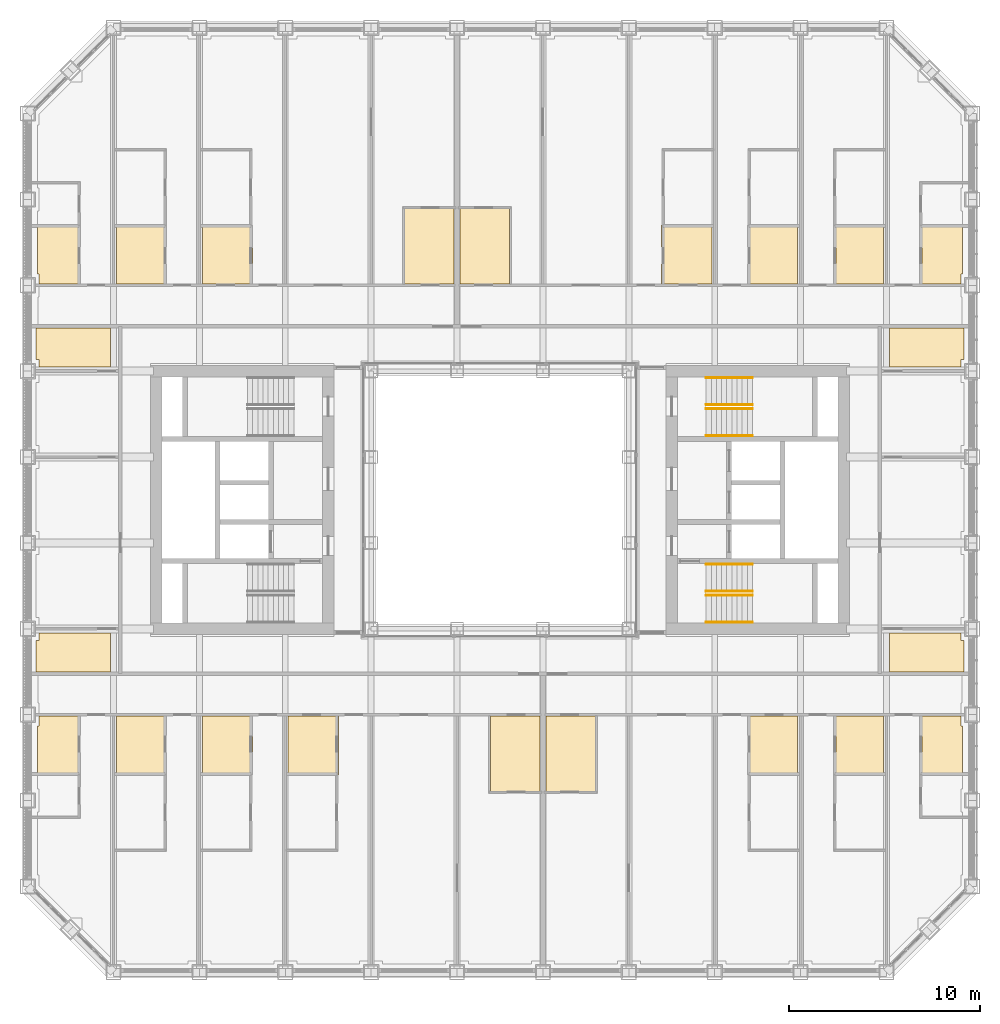
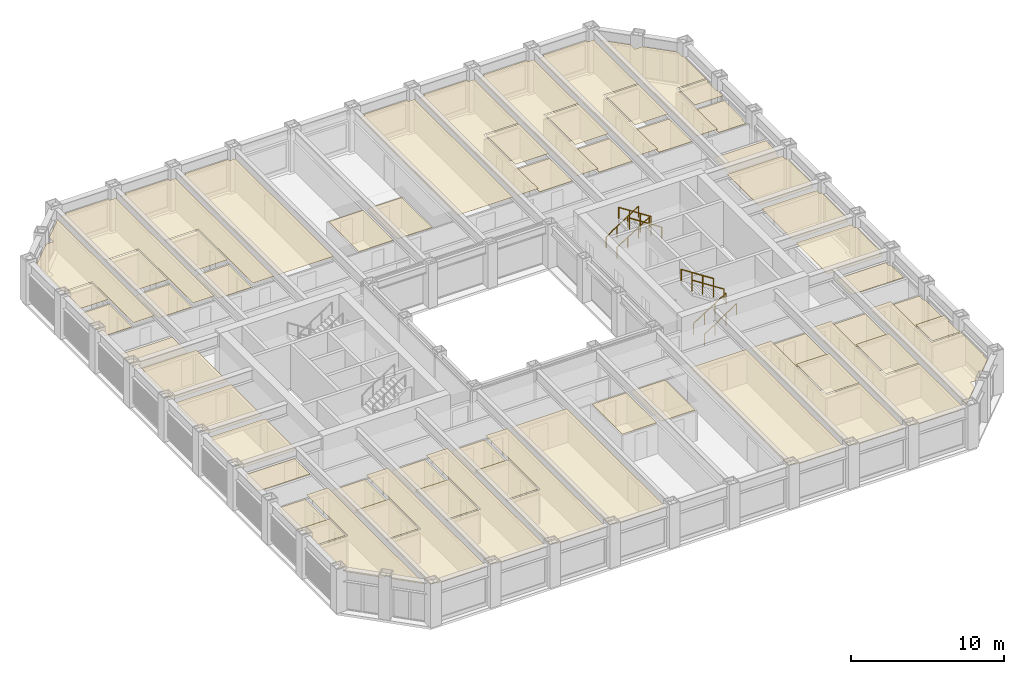
# One storey, part 20 of 21: 8 railings, 3 coverings.
"""IFC4 building model written with IfcOpenShell, lengths in metres."""

from ifc_helpers import new_model, si_unit, direction, frame, origin, origin_2d, place, context, subcontext, project, spatial, line, indexed_curve, circle, outline, extrude, material, layer, layer_set, type_object, element, save


model = new_model("IFC4")

# Units and contexts
model_context = context("Model", 3, precision=1e-05, world=origin(), true_north=direction((0.0, 1.0)))
body_context = subcontext(model_context, "Body", "Model", "MODEL_VIEW")
ifc_project = project(units=[si_unit("LENGTHUNIT", "METRE"), si_unit("AREAUNIT", "SQUARE_METRE"), si_unit("VOLUMEUNIT", "CUBIC_METRE"), si_unit("PLANEANGLEUNIT", "RADIAN"), si_unit("MASSUNIT", "GRAM", prefix="KILO")], contexts=[model_context])

# Site, building, storey
site_placement = place(None, origin())
site = spatial("IfcSite", under=ifc_project, at=site_placement, CompositionType="ELEMENT")
building_placement = place(site_placement, origin())
building = spatial("IfcBuilding", under=site, at=building_placement, Name="Msasa Ring Tower", CompositionType="ELEMENT")
storey_placement = place(building_placement, frame((0.0, 0.0, 86.0)))
storey = spatial("IfcBuildingStorey", under=building, at=storey_placement, Name="L22", CompositionType="ELEMENT", Elevation=86.0)

# Coverings
ifc_material_1 = material(Name="Gypsum plasterboard on a steel suspension grid", Category="steel")
ifc_layer_1 = layer(ifc_material_1, 0.014892578125)
ifc_layer_set_1 = layer_set([ifc_layer_1], Name="C1 SUSPENDED PLASTERBOARD CEILING 15")
covering_type_1 = type_object("IfcCoveringType", Name="C1 SUSPENDED PLASTERBOARD CEILING 15", PredefinedType="CEILING", material=ifc_layer_set_1)
covering_1_placement = place(storey_placement, frame((0.0, 0.0, 2.699951171875)))
element("IfcCovering", 1, at=covering_1_placement, inside=storey, type_object=covering_type_1, Name="Suspended Plasterboard Ceiling 15 L22", PredefinedType="CEILING", context=body_context, shape_type="SweptSolid", body=[
    extrude(outline(indexed_curve([(-24.299560546875, -2.8505859375), (-24.1494140625, -2.8505859375), (-24.1494140625, -2.460693359375), (-20.00048828125, -2.460693359375), (-20.00048828125, -6.539306640625), (-24.1494140625, -6.539306640625), (-24.1494140625, -6.1494140625), (-24.299560546875, -6.1494140625)], segments=[line(1, 2, 3, 4, 5, 6, 7, 8, 1)], self_intersect=False)), origin(), (0.0, 0.0, 1.0), 0.01513671875),
    extrude(outline(indexed_curve([(-24.299560546875, 1.6494140625), (-24.1494140625, 1.6494140625), (-24.1494140625, 2.039306640625), (-20.00048828125, 2.039306640625), (-20.00048828125, -2.039306640625), (-24.1494140625, -2.039306640625), (-24.1494140625, -1.6494140625), (-24.299560546875, -1.6494140625)], segments=[line(1, 2, 3, 4, 5, 6, 7, 8, 1)], self_intersect=False)), origin(), (0.0, 0.0, 1.0), 0.01513671875),
    extrude(outline(indexed_curve([(-24.299560546875, 6.1494140625), (-24.1494140625, 6.1494140625), (-24.1494140625, 6.539306640625), (-20.00048828125, 6.539306640625), (-20.00048828125, 2.460693359375), (-24.1494140625, 2.460693359375), (-24.1494140625, 2.8505859375), (-24.299560546875, 2.8505859375)], segments=[line(1, 2, 3, 4, 5, 6, 7, 8, 1)], self_intersect=False)), origin(), (0.0, 0.0, 1.0), 0.01513671875),
    extrude(outline(indexed_curve([(-22.1005859375, -16.568115234375), (-24.239501953125, -16.568115234375), (-24.239501953125, -16.3505859375), (-24.1494140625, -16.3505859375), (-24.1494140625, -15.1494140625), (-24.239501953125, -15.1494140625), (-24.239501953125, -14.430419921875), (-22.1005859375, -14.430419921875)], segments=[line(1, 2, 3, 4, 5, 6, 7, 8, 1)], self_intersect=False)), origin(), (0.0, 0.0, 1.0), 0.01513671875),
    extrude(outline(indexed_curve([(-22.1005859375, 16.568115234375), (-22.1005859375, 14.430419921875), (-24.239501953125, 14.430419921875), (-24.239501953125, 15.1494140625), (-24.1494140625, 15.1494140625), (-24.1494140625, 16.3505859375), (-24.239501953125, 16.3505859375), (-24.239501953125, 16.568115234375)], segments=[line(1, 2, 3, 4, 5, 6, 7, 8, 1)], self_intersect=False)), origin(), (0.0, 0.0, 1.0), 0.01513671875),
    extrude(outline(indexed_curve([(-21.8994140625, -22.46337890625), (-21.8994140625, -21.8994140625), (-22.46337890625, -21.8994140625), (-24.1494140625, -20.21337890625), (-24.1494140625, -19.6494140625), (-24.23193359375, -19.6494140625), (-24.23193359375, -16.674072265625), (-21.99951171875, -16.674072265625), (-21.99951171875, -11.31298828125), (-20.404296875, -11.31298828125), (-20.404296875, -23.95849609375)], segments=[line(1, 2, 3, 4, 5, 6, 7, 8, 9, 10, 11, 1)], self_intersect=False)), origin(), (0.0, 0.0, 1.0), 0.01513671875),
    extrude(outline(indexed_curve([(-22.46337890625, 21.8994140625), (-21.8994140625, 21.8994140625), (-21.8994140625, 22.46337890625), (-20.404296875, 23.95849609375), (-20.404296875, 11.31298828125), (-21.99951171875, 11.31298828125), (-21.99951171875, 16.674072265625), (-24.23193359375, 16.674072265625), (-24.23193359375, 19.6494140625), (-24.1494140625, 19.6494140625), (-24.1494140625, 20.21337890625)], segments=[line(1, 2, 3, 4, 5, 6, 7, 8, 9, 10, 11, 1)], self_intersect=False)), origin(), (0.0, 0.0, 1.0), 0.01513671875),
    extrude(outline(indexed_curve([(-15.904296875, -11.31298828125), (-15.904296875, -24.1494140625), (-16.3505859375, -24.1494140625), (-16.3505859375, -24.299560546875), (-19.6494140625, -24.299560546875), (-19.6494140625, -24.1494140625), (-20.095703125, -24.1494140625), (-20.095703125, -18.40087890625), (-17.49951171875, -18.40087890625), (-17.49951171875, -11.31298828125)], segments=[line(1, 2, 3, 4, 5, 6, 7, 8, 9, 10, 1)], self_intersect=False)), origin(), (0.0, 0.0, 1.0), 0.01513671875),
    extrude(outline(indexed_curve([(-17.6005859375, -18.294921875), (-20.095703125, -18.294921875), (-20.095703125, -14.430419921875), (-17.6005859375, -14.430419921875)], segments=[line(1, 2, 3, 4, 1)], self_intersect=False)), origin(), (0.0, 0.0, 1.0), 0.01513671875),
    extrude(outline(indexed_curve([(-17.49951171875, 11.31298828125), (-17.49951171875, 18.40087890625), (-20.095703125, 18.40087890625), (-20.095703125, 24.1494140625), (-19.6494140625, 24.1494140625), (-19.6494140625, 24.299560546875), (-16.3505859375, 24.299560546875), (-16.3505859375, 24.1494140625), (-15.904296875, 24.1494140625), (-15.904296875, 11.31298828125)], segments=[line(1, 2, 3, 4, 5, 6, 7, 8, 9, 10, 1)], self_intersect=False)), origin(), (0.0, 0.0, 1.0), 0.01513671875),
    extrude(outline(indexed_curve([(-17.6005859375, 18.294921875), (-17.6005859375, 14.430419921875), (-20.095703125, 14.430419921875), (-20.095703125, 18.294921875)], segments=[line(1, 2, 3, 4, 1)], self_intersect=False)), origin(), (0.0, 0.0, 1.0), 0.01513671875),
    extrude(outline(indexed_curve([(-15.1494140625, -24.299560546875), (-15.1494140625, -24.1494140625), (-15.595703125, -24.1494140625), (-15.595703125, -18.403564453125), (-12.99951171875, -18.403564453125), (-12.99951171875, -11.31298828125), (-11.404296875, -11.31298828125), (-11.404296875, -24.1494140625), (-11.8505859375, -24.1494140625), (-11.8505859375, -24.299560546875)], segments=[line(1, 2, 3, 4, 5, 6, 7, 8, 9, 10, 1)], self_intersect=False)), origin(), (0.0, 0.0, 1.0), 0.01513671875),
    extrude(outline(indexed_curve([(-13.1005859375, -14.430419921875), (-13.1005859375, -18.297607421875), (-15.595703125, -18.297607421875), (-15.595703125, -14.430419921875)], segments=[line(1, 2, 3, 4, 1)], self_intersect=False)), origin(), (0.0, 0.0, 1.0), 0.01513671875),
    extrude(outline(indexed_curve([(-12.99951171875, 11.31298828125), (-12.99951171875, 18.403564453125), (-15.595703125, 18.403564453125), (-15.595703125, 24.1494140625), (-15.1494140625, 24.1494140625), (-15.1494140625, 24.299560546875), (-11.8505859375, 24.299560546875), (-11.8505859375, 24.1494140625), (-11.404296875, 24.1494140625), (-11.404296875, 11.31298828125)], segments=[line(1, 2, 3, 4, 5, 6, 7, 8, 9, 10, 1)], self_intersect=False)), origin(), (0.0, 0.0, 1.0), 0.01513671875),
    extrude(outline(indexed_curve([(-13.1005859375, 18.297607421875), (-13.1005859375, 14.430419921875), (-15.595703125, 14.430419921875), (-15.595703125, 18.297607421875)], segments=[line(1, 2, 3, 4, 1)], self_intersect=False)), origin(), (0.0, 0.0, 1.0), 0.01513671875),
    extrude(outline(indexed_curve([(-10.6494140625, -24.299560546875), (-10.6494140625, -24.1494140625), (-11.095703125, -24.1494140625), (-11.095703125, -18.403564453125), (-8.49951171875, -18.403564453125), (-8.49951171875, -11.31298828125), (-6.904296875, -11.31298828125), (-6.904296875, -24.1494140625), (-7.3505859375, -24.1494140625), (-7.3505859375, -24.299560546875)], segments=[line(1, 2, 3, 4, 5, 6, 7, 8, 9, 10, 1)], self_intersect=False)), origin(), (0.0, 0.0, 1.0), 0.01513671875),
    extrude(outline(indexed_curve([(-8.6005859375, -14.430419921875), (-8.6005859375, -18.297607421875), (-11.095703125, -18.297607421875), (-11.095703125, -14.430419921875)], segments=[line(1, 2, 3, 4, 1)], self_intersect=False)), origin(), (0.0, 0.0, 1.0), 0.01513671875),
    extrude(outline(indexed_curve([(-7.3505859375, 24.299560546875), (-7.3505859375, 24.1494140625), (-6.904296875, 24.1494140625), (-6.904296875, 11.31298828125), (-11.095703125, 11.31298828125), (-11.095703125, 24.1494140625), (-10.6494140625, 24.1494140625), (-10.6494140625, 24.299560546875)], segments=[line(1, 2, 3, 4, 5, 6, 7, 8, 1)], self_intersect=False)), origin(), (0.0, 0.0, 1.0), 0.01513671875),
    extrude(outline(indexed_curve([(-6.1494140625, -24.299560546875), (-6.1494140625, -24.1494140625), (-6.595703125, -24.1494140625), (-6.595703125, -11.31298828125), (-2.404296875, -11.31298828125), (-2.404296875, -24.1494140625), (-2.8505859375, -24.1494140625), (-2.8505859375, -24.299560546875)], segments=[line(1, 2, 3, 4, 5, 6, 7, 8, 1)], self_intersect=False)), origin(), (0.0, 0.0, 1.0), 0.01513671875),
    extrude(outline(indexed_curve([(6.1494140625, 24.299560546875), (6.1494140625, 24.1494140625), (6.595703125, 24.1494140625), (6.595703125, 11.31298828125), (2.404296875, 11.31298828125), (2.404296875, 24.1494140625), (2.8505859375, 24.1494140625), (2.8505859375, 24.299560546875)], segments=[line(1, 2, 3, 4, 5, 6, 7, 8, 1)], self_intersect=False)), origin(), (0.0, 0.0, 1.0), 0.01513671875),
    extrude(outline(indexed_curve([(7.3505859375, -24.299560546875), (7.3505859375, -24.1494140625), (6.904296875, -24.1494140625), (6.904296875, -11.31298828125), (11.095703125, -11.31298828125), (11.095703125, -24.1494140625), (10.6494140625, -24.1494140625), (10.6494140625, -24.299560546875)], segments=[line(1, 2, 3, 4, 5, 6, 7, 8, 1)], self_intersect=False)), origin(), (0.0, 0.0, 1.0), 0.01513671875),
    extrude(outline(indexed_curve([(10.6494140625, 24.299560546875), (10.6494140625, 24.1494140625), (11.095703125, 24.1494140625), (11.095703125, 18.403564453125), (8.49951171875, 18.403564453125), (8.49951171875, 11.31298828125), (6.904296875, 11.31298828125), (6.904296875, 24.1494140625), (7.3505859375, 24.1494140625), (7.3505859375, 24.299560546875)], segments=[line(1, 2, 3, 4, 5, 6, 7, 8, 9, 10, 1)], self_intersect=False)), origin(), (0.0, 0.0, 1.0), 0.01513671875),
    extrude(outline(indexed_curve([(11.095703125, 18.297607421875), (11.095703125, 14.430419921875), (8.6005859375, 14.430419921875), (8.6005859375, 18.297607421875)], segments=[line(1, 2, 3, 4, 1)], self_intersect=False)), origin(), (0.0, 0.0, 1.0), 0.01513671875),
    extrude(outline(indexed_curve([(12.99951171875, -11.31298828125), (12.99951171875, -18.403564453125), (15.595703125, -18.403564453125), (15.595703125, -24.1494140625), (15.1494140625, -24.1494140625), (15.1494140625, -24.299560546875), (11.8505859375, -24.299560546875), (11.8505859375, -24.1494140625), (11.404296875, -24.1494140625), (11.404296875, -11.31298828125)], segments=[line(1, 2, 3, 4, 5, 6, 7, 8, 9, 10, 1)], self_intersect=False)), origin(), (0.0, 0.0, 1.0), 0.01513671875),
    extrude(outline(indexed_curve([(15.1494140625, 24.299560546875), (15.1494140625, 24.1494140625), (15.595703125, 24.1494140625), (15.595703125, 18.403564453125), (12.99951171875, 18.403564453125), (12.99951171875, 11.31298828125), (11.404296875, 11.31298828125), (11.404296875, 24.1494140625), (11.8505859375, 24.1494140625), (11.8505859375, 24.299560546875)], segments=[line(1, 2, 3, 4, 5, 6, 7, 8, 9, 10, 1)], self_intersect=False)), origin(), (0.0, 0.0, 1.0), 0.01513671875),
    extrude(outline(indexed_curve([(15.595703125, -14.430419921875), (15.595703125, -18.297607421875), (13.1005859375, -18.297607421875), (13.1005859375, -14.430419921875)], segments=[line(1, 2, 3, 4, 1)], self_intersect=False)), origin(), (0.0, 0.0, 1.0), 0.01513671875),
    extrude(outline(indexed_curve([(15.595703125, 18.297607421875), (15.595703125, 14.430419921875), (13.1005859375, 14.430419921875), (13.1005859375, 18.297607421875)], segments=[line(1, 2, 3, 4, 1)], self_intersect=False)), origin(), (0.0, 0.0, 1.0), 0.01513671875),
    extrude(outline(indexed_curve([(16.3505859375, -24.299560546875), (16.3505859375, -24.1494140625), (15.904296875, -24.1494140625), (15.904296875, -11.31298828125), (17.49951171875, -11.31298828125), (17.49951171875, -18.40087890625), (20.095703125, -18.40087890625), (20.095703125, -24.1494140625), (19.6494140625, -24.1494140625), (19.6494140625, -24.299560546875)], segments=[line(1, 2, 3, 4, 5, 6, 7, 8, 9, 10, 1)], self_intersect=False)), origin(), (0.0, 0.0, 1.0), 0.01513671875),
    extrude(outline(indexed_curve([(19.6494140625, 24.299560546875), (19.6494140625, 24.1494140625), (20.095703125, 24.1494140625), (20.095703125, 18.40087890625), (17.49951171875, 18.40087890625), (17.49951171875, 11.31298828125), (15.904296875, 11.31298828125), (15.904296875, 24.1494140625), (16.3505859375, 24.1494140625), (16.3505859375, 24.299560546875)], segments=[line(1, 2, 3, 4, 5, 6, 7, 8, 9, 10, 1)], self_intersect=False)), origin(), (0.0, 0.0, 1.0), 0.01513671875),
    extrude(outline(indexed_curve([(20.095703125, -14.430419921875), (20.095703125, -18.294921875), (17.6005859375, -18.294921875), (17.6005859375, -14.430419921875)], segments=[line(1, 2, 3, 4, 1)], self_intersect=False)), origin(), (0.0, 0.0, 1.0), 0.01513671875),
    extrude(outline(indexed_curve([(20.095703125, 18.294921875), (20.095703125, 14.430419921875), (17.6005859375, 14.430419921875), (17.6005859375, 18.294921875)], segments=[line(1, 2, 3, 4, 1)], self_intersect=False)), origin(), (0.0, 0.0, 1.0), 0.01513671875),
    extrude(outline(indexed_curve([(24.299560546875, -6.1494140625), (24.1494140625, -6.1494140625), (24.1494140625, -6.539306640625), (20.00048828125, -6.539306640625), (20.00048828125, -2.460693359375), (24.1494140625, -2.460693359375), (24.1494140625, -2.8505859375), (24.299560546875, -2.8505859375)], segments=[line(1, 2, 3, 4, 5, 6, 7, 8, 1)], self_intersect=False)), origin(), (0.0, 0.0, 1.0), 0.01513671875),
    extrude(outline(indexed_curve([(24.299560546875, -1.6494140625), (24.1494140625, -1.6494140625), (24.1494140625, -2.039306640625), (20.00048828125, -2.039306640625), (20.00048828125, 2.039306640625), (24.1494140625, 2.039306640625), (24.1494140625, 1.6494140625), (24.299560546875, 1.6494140625)], segments=[line(1, 2, 3, 4, 5, 6, 7, 8, 1)], self_intersect=False)), origin(), (0.0, 0.0, 1.0), 0.01513671875),
    extrude(outline(indexed_curve([(24.299560546875, 2.8505859375), (24.1494140625, 2.8505859375), (24.1494140625, 2.460693359375), (20.00048828125, 2.460693359375), (20.00048828125, 6.539306640625), (24.1494140625, 6.539306640625), (24.1494140625, 6.1494140625), (24.299560546875, 6.1494140625)], segments=[line(1, 2, 3, 4, 5, 6, 7, 8, 1)], self_intersect=False)), origin(), (0.0, 0.0, 1.0), 0.01513671875),
    extrude(outline(indexed_curve([(22.46337890625, -21.8994140625), (21.8994140625, -21.8994140625), (21.8994140625, -22.46337890625), (20.404296875, -23.95849609375), (20.404296875, -11.31298828125), (21.99951171875, -11.31298828125), (21.99951171875, -16.674072265625), (24.23193359375, -16.674072265625), (24.23193359375, -19.6494140625), (24.1494140625, -19.6494140625), (24.1494140625, -20.21337890625)], segments=[line(1, 2, 3, 4, 5, 6, 7, 8, 9, 10, 11, 1)], self_intersect=False)), origin(), (0.0, 0.0, 1.0), 0.01513671875),
    extrude(outline(indexed_curve([(21.8994140625, 22.46337890625), (21.8994140625, 21.8994140625), (22.46337890625, 21.8994140625), (24.1494140625, 20.21337890625), (24.1494140625, 19.6494140625), (24.23193359375, 19.6494140625), (24.23193359375, 16.674072265625), (21.99951171875, 16.674072265625), (21.99951171875, 11.31298828125), (20.404296875, 11.31298828125), (20.404296875, 23.95849609375)], segments=[line(1, 2, 3, 4, 5, 6, 7, 8, 9, 10, 11, 1)], self_intersect=False)), origin(), (0.0, 0.0, 1.0), 0.01513671875),
    extrude(outline(indexed_curve([(24.239501953125, -14.430419921875), (24.239501953125, -15.1494140625), (24.1494140625, -15.1494140625), (24.1494140625, -16.3505859375), (24.239501953125, -16.3505859375), (24.239501953125, -16.568115234375), (22.1005859375, -16.568115234375), (22.1005859375, -14.430419921875)], segments=[line(1, 2, 3, 4, 5, 6, 7, 8, 1)], self_intersect=False)), origin(), (0.0, 0.0, 1.0), 0.01513671875),
    extrude(outline(indexed_curve([(24.239501953125, 16.568115234375), (24.239501953125, 16.3505859375), (24.1494140625, 16.3505859375), (24.1494140625, 15.1494140625), (24.239501953125, 15.1494140625), (24.239501953125, 14.430419921875), (22.1005859375, 14.430419921875), (22.1005859375, 16.568115234375)], segments=[line(1, 2, 3, 4, 5, 6, 7, 8, 1)], self_intersect=False)), origin(), (0.0, 0.0, 1.0), 0.01513671875),
])
ifc_material_2 = material(Name="Moisture-resistant gypsum plasterboard on a steel suspension grid", Category="steel")
ifc_layer_2 = layer(ifc_material_2, 0.014892578125)
ifc_layer_set_2 = layer_set([ifc_layer_2], Name="C2 MOISTURE-RESISTANT PLASTERBOARD CEILING 15")
covering_type_2 = type_object("IfcCoveringType", Name="C2 MOISTURE-RESISTANT PLASTERBOARD CEILING 15", PredefinedType="CEILING", material=ifc_layer_set_2)
covering_2_placement = place(storey_placement, frame((0.0, 0.0, 2.39990234375)))
element("IfcCovering", 2, at=covering_2_placement, inside=storey, type_object=covering_type_2, Name="Moisture-Resistant Plasterboard Ceiling 15 L22", PredefinedType="CEILING", context=body_context, shape_type="SweptSolid", body=[
    extrude(outline(indexed_curve([(-24.299560546875, 8.99951171875), (-20.404296875, 8.99951171875), (-20.404296875, 6.960693359375), (-24.1494140625, 6.960693359375), (-24.1494140625, 7.3505859375), (-24.299560546875, 7.3505859375)], segments=[line(1, 2, 3, 4, 5, 6, 1)], self_intersect=False)), origin(), (0.0, 0.0, 1.0), 0.01513671875),
    extrude(outline(indexed_curve([(-24.239501953125, -11.8505859375), (-24.1494140625, -11.8505859375), (-24.1494140625, -11.31298828125), (-22.1005859375, -11.31298828125), (-22.1005859375, -14.299560546875), (-24.239501953125, -14.299560546875)], segments=[line(1, 2, 3, 4, 5, 6, 1)], self_intersect=False)), origin(), (0.0, 0.0, 1.0), 0.01513671875),
    extrude(outline(indexed_curve([(-24.239501953125, 14.299560546875), (-22.1005859375, 14.299560546875), (-22.1005859375, 11.31298828125), (-24.1494140625, 11.31298828125), (-24.1494140625, 11.8505859375), (-24.239501953125, 11.8505859375)], segments=[line(1, 2, 3, 4, 5, 6, 1)], self_intersect=False)), origin(), (0.0, 0.0, 1.0), 0.01513671875),
    extrude(outline(indexed_curve([(-17.6005859375, -11.31298828125), (-17.6005859375, -14.299560546875), (-20.095703125, -14.299560546875), (-20.095703125, -11.31298828125)], segments=[line(1, 2, 3, 4, 1)], self_intersect=False)), origin(), (0.0, 0.0, 1.0), 0.01513671875),
    extrude(outline(indexed_curve([(-17.6005859375, 14.299560546875), (-17.6005859375, 11.31298828125), (-20.095703125, 11.31298828125), (-20.095703125, 14.299560546875)], segments=[line(1, 2, 3, 4, 1)], self_intersect=False)), origin(), (0.0, 0.0, 1.0), 0.01513671875),
    extrude(outline(indexed_curve([(-13.1005859375, -11.31298828125), (-13.1005859375, -14.299560546875), (-15.595703125, -14.299560546875), (-15.595703125, -11.31298828125)], segments=[line(1, 2, 3, 4, 1)], self_intersect=False)), origin(), (0.0, 0.0, 1.0), 0.01513671875),
    extrude(outline(indexed_curve([(-13.1005859375, 14.299560546875), (-13.1005859375, 11.31298828125), (-15.595703125, 11.31298828125), (-15.595703125, 14.299560546875)], segments=[line(1, 2, 3, 4, 1)], self_intersect=False)), origin(), (0.0, 0.0, 1.0), 0.01513671875),
    extrude(outline(indexed_curve([(-8.6005859375, -11.31298828125), (-8.6005859375, -14.299560546875), (-11.095703125, -14.299560546875), (-11.095703125, -11.31298828125)], segments=[line(1, 2, 3, 4, 1)], self_intersect=False)), origin(), (0.0, 0.0, 1.0), 0.01513671875),
    extrude(outline(indexed_curve([(8.6005859375, 14.299560546875), (11.095703125, 14.299560546875), (11.095703125, 11.31298828125), (8.6005859375, 11.31298828125)], segments=[line(1, 2, 3, 4, 1)], self_intersect=False)), origin(), (0.0, 0.0, 1.0), 0.01513671875),
    extrude(outline(indexed_curve([(13.1005859375, -11.31298828125), (15.595703125, -11.31298828125), (15.595703125, -14.299560546875), (13.1005859375, -14.299560546875)], segments=[line(1, 2, 3, 4, 1)], self_intersect=False)), origin(), (0.0, 0.0, 1.0), 0.01513671875),
    extrude(outline(indexed_curve([(13.1005859375, 14.299560546875), (15.595703125, 14.299560546875), (15.595703125, 11.31298828125), (13.1005859375, 11.31298828125)], segments=[line(1, 2, 3, 4, 1)], self_intersect=False)), origin(), (0.0, 0.0, 1.0), 0.01513671875),
    extrude(outline(indexed_curve([(17.6005859375, -11.31298828125), (20.095703125, -11.31298828125), (20.095703125, -14.299560546875), (17.6005859375, -14.299560546875)], segments=[line(1, 2, 3, 4, 1)], self_intersect=False)), origin(), (0.0, 0.0, 1.0), 0.01513671875),
    extrude(outline(indexed_curve([(17.6005859375, 14.299560546875), (20.095703125, 14.299560546875), (20.095703125, 11.31298828125), (17.6005859375, 11.31298828125)], segments=[line(1, 2, 3, 4, 1)], self_intersect=False)), origin(), (0.0, 0.0, 1.0), 0.01513671875),
    extrude(outline(indexed_curve([(24.299560546875, 8.99951171875), (24.299560546875, 7.3505859375), (24.1494140625, 7.3505859375), (24.1494140625, 6.960693359375), (20.404296875, 6.960693359375), (20.404296875, 8.99951171875)], segments=[line(1, 2, 3, 4, 5, 6, 1)], self_intersect=False)), origin(), (0.0, 0.0, 1.0), 0.01513671875),
    extrude(outline(indexed_curve([(22.1005859375, -11.31298828125), (24.1494140625, -11.31298828125), (24.1494140625, -11.8505859375), (24.239501953125, -11.8505859375), (24.239501953125, -14.299560546875), (22.1005859375, -14.299560546875)], segments=[line(1, 2, 3, 4, 5, 6, 1)], self_intersect=False)), origin(), (0.0, 0.0, 1.0), 0.01513671875),
    extrude(outline(indexed_curve([(22.1005859375, 14.299560546875), (24.239501953125, 14.299560546875), (24.239501953125, 11.8505859375), (24.1494140625, 11.8505859375), (24.1494140625, 11.31298828125), (22.1005859375, 11.31298828125)], segments=[line(1, 2, 3, 4, 5, 6, 1)], self_intersect=False)), origin(), (0.0, 0.0, 1.0), 0.01513671875),
])
ifc_material_3 = material(Name="Perforated aluminium ceiling pans on a steel grid", Category="steel")
ifc_layer_3 = layer(ifc_material_3, 0.02490234375)
ifc_layer_set_3 = layer_set([ifc_layer_3], Name="C4 PERFORATED METAL PAN CEILING 25")
covering_type_3 = type_object("IfcCoveringType", Name="C4 PERFORATED METAL PAN CEILING 25", PredefinedType="CEILING", material=ifc_layer_set_3)
covering_3_placement = place(storey_placement, frame((0.0, 0.0, 2.39990234375)))
element("IfcCovering", 3, at=covering_3_placement, inside=storey, type_object=covering_type_3, Name="Perforated Metal Pan Ceiling 25 L22", PredefinedType="CEILING", context=body_context, shape_type="SweptSolid", body=[
    extrude(outline(indexed_curve([(-24.299560546875, -8.99951171875), (-24.299560546875, -7.3505859375), (-24.1494140625, -7.3505859375), (-24.1494140625, -6.960693359375), (-20.404296875, -6.960693359375), (-20.404296875, -8.99951171875)], segments=[line(1, 2, 3, 4, 5, 6, 1)], self_intersect=False)), origin(), (0.0, 0.0, 1.0), 0.025146484375),
    extrude(outline(indexed_curve([(-4.99951171875, 11.31298828125), (-4.99951171875, 15.261962890625), (-2.404296875, 15.261962890625), (-2.404296875, 11.31298828125)], segments=[line(1, 2, 3, 4, 1)], self_intersect=False)), origin(), (0.0, 0.0, 1.0), 0.025146484375),
    extrude(outline(indexed_curve([(-2.095703125, 11.31298828125), (-2.095703125, 15.261962890625), (0.49951171875, 15.261962890625), (0.49951171875, 11.31298828125)], segments=[line(1, 2, 3, 4, 1)], self_intersect=False)), origin(), (0.0, 0.0, 1.0), 0.025146484375),
    extrude(outline(indexed_curve([(-0.49951171875, -15.261962890625), (-0.49951171875, -11.31298828125), (2.095703125, -11.31298828125), (2.095703125, -15.261962890625)], segments=[line(1, 2, 3, 4, 1)], self_intersect=False)), origin(), (0.0, 0.0, 1.0), 0.025146484375),
    extrude(outline(indexed_curve([(2.404296875, -15.261962890625), (2.404296875, -11.31298828125), (4.99951171875, -11.31298828125), (4.99951171875, -15.261962890625)], segments=[line(1, 2, 3, 4, 1)], self_intersect=False)), origin(), (0.0, 0.0, 1.0), 0.025146484375),
    extrude(outline(indexed_curve([(24.299560546875, -8.99951171875), (20.404296875, -8.99951171875), (20.404296875, -6.960693359375), (24.1494140625, -6.960693359375), (24.1494140625, -7.3505859375), (24.299560546875, -7.3505859375)], segments=[line(1, 2, 3, 4, 5, 6, 1)], self_intersect=False)), origin(), (0.0, 0.0, 1.0), 0.025146484375),
])

# Railings
ifc_material_4 = material(Name="Stainless steel", Category="steel")
railing_type = type_object("IfcRailingType", Name="HR1 HANDRAIL 900", PredefinedType="HANDRAIL", material=ifc_material_4)
for number, where, name in (
    (4, (10.800048828125, -6.39990234375, 0.175048828125), "Handrail stair SEA L22 1"),
    (5, (10.800048828125, -5.0, 0.175048828125), "Handrail stair SEA L22 2"),
):
    element("IfcRailing", number, at=place(storey_placement, frame(where)), inside=storey, type_object=railing_type, Name=name, PredefinedType="HANDRAIL", context=body_context, shape_type="SweptSolid", body=[
        extrude(circle(Radius=0.02392578125, at=origin_2d()), frame((0.0, 0.0, 0.8759765625), z_axis=(0.839153699163, 0.0, 0.543894354798), x_axis=(0.0, 1.0, 0.0)), (0.0, 0.0, 1.0), 2.895751953125),
        extrude(circle(Radius=0.02099609375, at=origin_2d()), origin(), (0.0, 0.0, 1.0), 0.851806640625),
        extrude(circle(Radius=0.02099609375, at=origin_2d()), frame((0.81005859375, 0.0, 0.52490234375)), (0.0, 0.0, 1.0), 0.851806640625),
        extrude(circle(Radius=0.02099609375, at=origin_2d()), frame((1.619873046875, 0.0, 1.050048828125)), (0.0, 0.0, 1.0), 0.851806640625),
        extrude(circle(Radius=0.02099609375, at=origin_2d()), frame((2.429931640625, 0.0, 1.574951171875)), (0.0, 0.0, 1.0), 0.851806640625),
    ])
for number, where, name in (
    (6, (13.22998046875, -4.77490234375, 1.925048828125), "Handrail stair SEA L22 3"),
    (7, (13.22998046875, -3.375, 1.925048828125), "Handrail stair SEA L22 4"),
):
    element("IfcRailing", number, at=place(storey_placement, frame(where)), inside=storey, type_object=railing_type, Name=name, PredefinedType="HANDRAIL", context=body_context, shape_type="SweptSolid", body=[
        extrude(circle(Radius=0.02392578125, at=origin_2d()), frame((0.0, 0.0, 0.8759765625), z_axis=(-0.839153699163, 0.0, 0.543894354798), x_axis=(0.0, -1.0, 0.0)), (0.0, 0.0, 1.0), 2.895751953125),
        extrude(circle(Radius=0.02099609375, at=origin_2d()), origin(), (0.0, 0.0, 1.0), 0.851806640625),
        extrude(circle(Radius=0.02099609375, at=origin_2d()), frame((-0.81005859375, 0.0, 0.52490234375)), (0.0, 0.0, 1.0), 0.851806640625),
        extrude(circle(Radius=0.02099609375, at=origin_2d()), frame((-1.619873046875, 0.0, 1.050048828125)), (0.0, 0.0, 1.0), 0.851806640625),
        extrude(circle(Radius=0.02099609375, at=origin_2d()), frame((-2.429931640625, 0.0, 1.574951171875)), (0.0, 0.0, 1.0), 0.851806640625),
    ])
for number, where, name in (
    (8, (10.800048828125, 5.0, 0.175048828125), "Handrail stair SEB L22 1"),
    (9, (10.800048828125, 6.39990234375, 0.175048828125), "Handrail stair SEB L22 2"),
):
    element("IfcRailing", number, at=place(storey_placement, frame(where)), inside=storey, type_object=railing_type, Name=name, PredefinedType="HANDRAIL", context=body_context, shape_type="SweptSolid", body=[
        extrude(circle(Radius=0.02392578125, at=origin_2d()), frame((0.0, 0.0, 0.8759765625), z_axis=(0.839153699163, 0.0, 0.543894354798), x_axis=(0.0, 1.0, 0.0)), (0.0, 0.0, 1.0), 2.895751953125),
        extrude(circle(Radius=0.02099609375, at=origin_2d()), origin(), (0.0, 0.0, 1.0), 0.851806640625),
        extrude(circle(Radius=0.02099609375, at=origin_2d()), frame((0.81005859375, 0.0, 0.52490234375)), (0.0, 0.0, 1.0), 0.851806640625),
        extrude(circle(Radius=0.02099609375, at=origin_2d()), frame((1.619873046875, 0.0, 1.050048828125)), (0.0, 0.0, 1.0), 0.851806640625),
        extrude(circle(Radius=0.02099609375, at=origin_2d()), frame((2.429931640625, 0.0, 1.574951171875)), (0.0, 0.0, 1.0), 0.851806640625),
    ])
for number, where, name in (
    (10, (13.22998046875, 3.375, 1.925048828125), "Handrail stair SEB L22 3"),
    (11, (13.22998046875, 4.77490234375, 1.925048828125), "Handrail stair SEB L22 4"),
):
    element("IfcRailing", number, at=place(storey_placement, frame(where)), inside=storey, type_object=railing_type, Name=name, PredefinedType="HANDRAIL", context=body_context, shape_type="SweptSolid", body=[
        extrude(circle(Radius=0.02392578125, at=origin_2d()), frame((0.0, 0.0, 0.8759765625), z_axis=(-0.839153699163, 0.0, 0.543894354798), x_axis=(0.0, -1.0, 0.0)), (0.0, 0.0, 1.0), 2.895751953125),
        extrude(circle(Radius=0.02099609375, at=origin_2d()), origin(), (0.0, 0.0, 1.0), 0.851806640625),
        extrude(circle(Radius=0.02099609375, at=origin_2d()), frame((-0.81005859375, 0.0, 0.52490234375)), (0.0, 0.0, 1.0), 0.851806640625),
        extrude(circle(Radius=0.02099609375, at=origin_2d()), frame((-1.619873046875, 0.0, 1.050048828125)), (0.0, 0.0, 1.0), 0.851806640625),
        extrude(circle(Radius=0.02099609375, at=origin_2d()), frame((-2.429931640625, 0.0, 1.574951171875)), (0.0, 0.0, 1.0), 0.851806640625),
    ])

save(model, "model.ifc")
